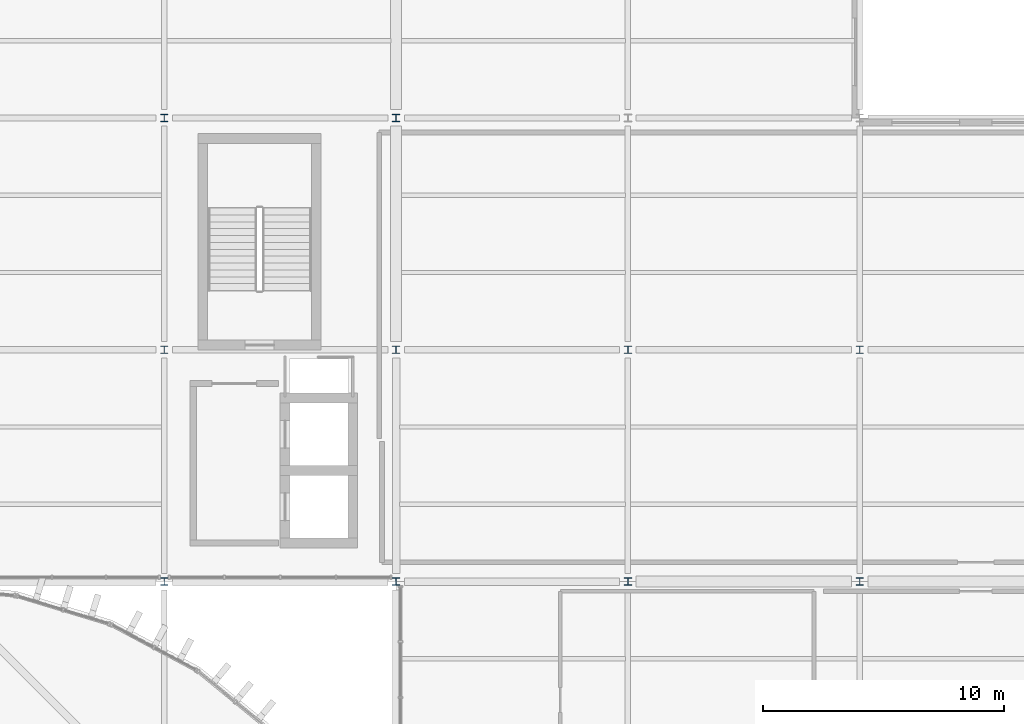
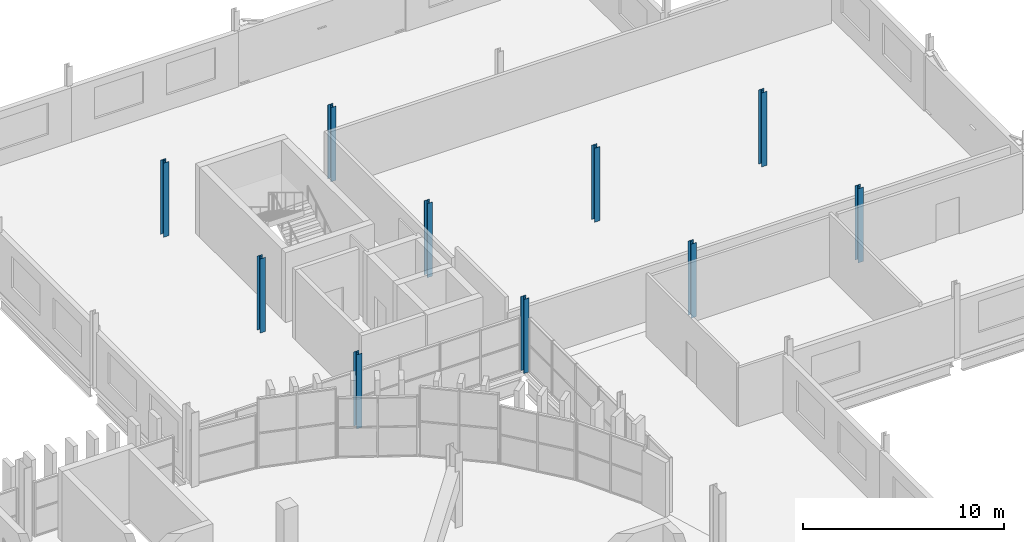
# One storey, part 8 of 69: 10 columns.
"""IFC4 building model written with IfcOpenShell, lengths in metres."""

from ifc_helpers import new_model, si_unit, direction, frame, origin, origin_2d, place, context, subcontext, project, spatial, i_section, extrude, material, material_profile, profile_set, type_object, element, save


model = new_model("IFC4")

# Units and contexts
model_context = context("Model", 3, precision=1e-05, world=origin(), true_north=direction((0.0, 1.0)))
body_context = subcontext(model_context, "Body", "Model", "MODEL_VIEW")
ifc_project = project(units=[si_unit("LENGTHUNIT", "METRE"), si_unit("AREAUNIT", "SQUARE_METRE"), si_unit("VOLUMEUNIT", "CUBIC_METRE"), si_unit("PLANEANGLEUNIT", "RADIAN"), si_unit("MASSUNIT", "GRAM", prefix="KILO")], contexts=[model_context])

# Site, building, storey
site_placement = place(None, origin())
site = spatial("IfcSite", under=ifc_project, at=site_placement, CompositionType="ELEMENT")
building_placement = place(site_placement, origin())
building = spatial("IfcBuilding", under=site, at=building_placement, Name="Caelomonte Colonnade Arena", CompositionType="ELEMENT")
storey_placement = place(building_placement, frame((0.0, 0.0, 18.60009765625)))
storey = spatial("IfcBuildingStorey", under=building, at=storey_placement, Name="L04", CompositionType="ELEMENT", Elevation=18.60009765625)

# Columns
ifc_material = material(Name="Wide-flange steel ASTM A992 Grade 50", Category="steel")
ifc_material_profile = material_profile(ifc_material, i_section(OverallWidth=0.3046875, OverallDepth=0.307861328125, WebThickness=0.010009765625, FlangeThickness=0.015380859375, FilletRadius=0.0126953125, at=origin_2d()), Name="W12X65")
ifc_profile_set = profile_set([ifc_material_profile], Name="Wide-flange steel ASTM A992 Grade 50")
column_type = type_object("IfcColumnType", Name="STR-COL-W12A", PredefinedType="COLUMN", material=ifc_profile_set)
for number, where, z_axis, x_axis, name in (
    (1, (153.60009765625, 115.199951171875, 0.0), (0.0, 0.0, 1.0), (1.0, 0.0, 0.0), "L04 column (153.6, 115.2)"),
    (2, (153.60009765625, 124.800048828125, 0.0), (0.0, 0.0, 1.0), (1.0, 0.0, 0.0), "L04 column (153.6, 124.8)"),
    (3, (153.60009765625, 134.39990234375, 0.0), (0.0, 0.0, 1.0), (1.0, 0.0, 0.0), "L04 column (153.6, 134.4)"),
    (4, (163.199951171875, 115.199951171875, 0.0), (0.0, 0.0, 1.0), (1.0, 0.0, 0.0), "L04 column (163.2, 115.2)"),
    (5, (163.199951171875, 124.800048828125, 0.0), (0.0, 0.0, 1.0), (1.0, 0.0, 0.0), "L04 column (163.2, 124.8)"),
    (6, (163.199951171875, 134.39990234375, 0.0), (0.0, 0.0, 1.0), (1.0, 0.0, 0.0), "L04 column (163.2, 134.4)"),
    (7, (172.800048828125, 115.199951171875, 0.0), (0.0, 0.0, 1.0), (1.0, 0.0, 0.0), "L04 column (172.8, 115.2)"),
    (8, (172.800048828125, 124.800048828125, 0.0), (0.0, 0.0, 1.0), (1.0, 0.0, 0.0), "L04 column (172.8, 124.8)"),
    (9, (182.39990234375, 115.199951171875, 0.0), (0.0, 0.0, 1.0), (1.0, 0.0, 0.0), "L04 column (182.4, 115.2)"),
    (10, (182.39990234375, 124.800048828125, 0.0), (0.0, 0.0, 1.0), (1.0, 0.0, 0.0), "L04 column (182.4, 124.8)"),
):
    element("IfcColumn", number, at=place(storey_placement, frame(where, z_axis=z_axis, x_axis=x_axis)), inside=storey, type_object=column_type, Name=name, PredefinedType="COLUMN", context=body_context, shape_type="SweptSolid", body=[
        extrude(i_section(OverallWidth=0.3046875, OverallDepth=0.307861328125, WebThickness=0.010009765625, FlangeThickness=0.015380859375, FilletRadius=0.0126953125, at=origin_2d()), origin(), (0.0, 0.0, 1.0), 4.5),
    ])

save(model, "model.ifc")
